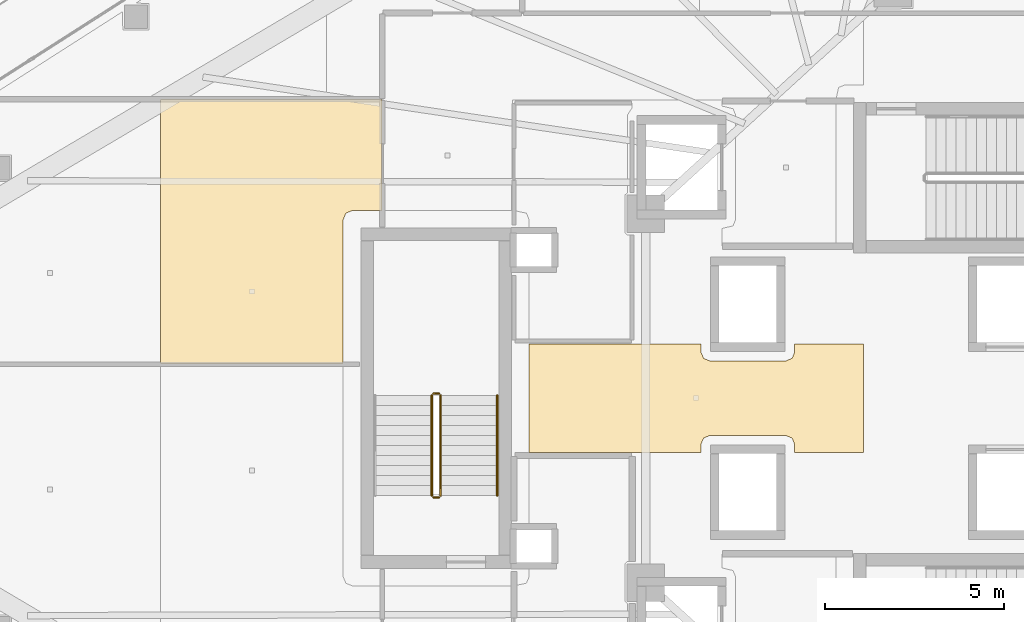
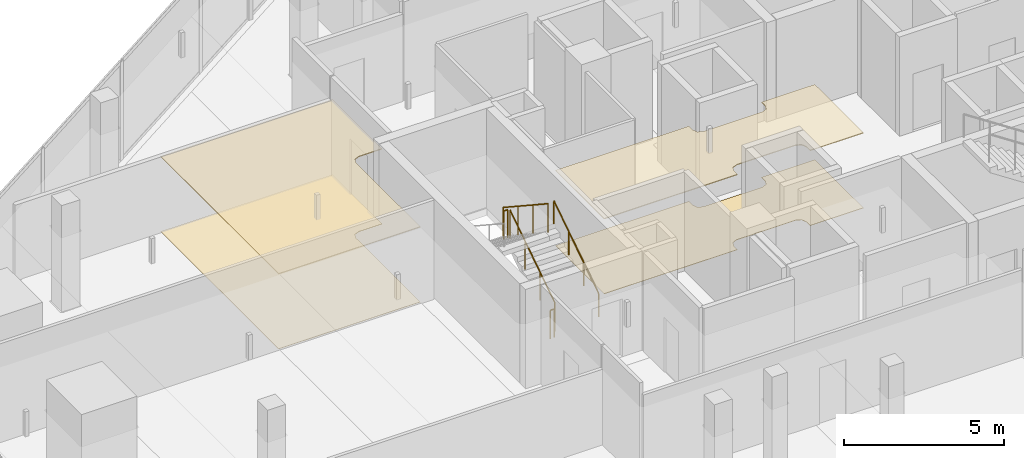
# One storey, part 33 of 39: 5 railings, 4 coverings.
"""IFC4 building model written with IfcOpenShell, lengths in metres."""

from ifc_helpers import new_model, si_unit, direction, frame, origin, origin_2d, place, context, subcontext, project, spatial, polyline, circle, outline, extrude, material, layer, layer_set, type_object, element, save


model = new_model("IFC4")

# Units and contexts
model_context = context("Model", 3, precision=1e-05, world=origin(), true_north=direction((0.0, 1.0)))
body_context = subcontext(model_context, "Body", "Model", "MODEL_VIEW")
ifc_project = project(units=[si_unit("LENGTHUNIT", "METRE"), si_unit("AREAUNIT", "SQUARE_METRE"), si_unit("VOLUMEUNIT", "CUBIC_METRE"), si_unit("PLANEANGLEUNIT", "RADIAN"), si_unit("MASSUNIT", "GRAM", prefix="KILO")], contexts=[model_context])

# Site, building, storey
site_placement = place(None, origin())
site = spatial("IfcSite", under=ifc_project, at=site_placement, CompositionType="ELEMENT")
building_placement = place(site_placement, origin())
building = spatial("IfcBuilding", under=site, at=building_placement, Name="Qorvath Tower", CompositionType="ELEMENT")
storey_placement = place(building_placement, frame((0.0, 0.0, 154.35009765625)))
storey = spatial("IfcBuildingStorey", under=building, at=storey_placement, Name="L35", CompositionType="ELEMENT", Elevation=154.35009765625)

# Coverings
ifc_material_1 = material(Name="Acoustic mineral fibre ceiling tile", Category="gypsum")
ifc_layer_1 = layer(ifc_material_1, 0.030029296875)
ifc_layer_set_1 = layer_set([ifc_layer_1], Name="COV-CEIL")
covering_type_1 = type_object("IfcCoveringType", Name="COV-CEIL", PredefinedType="CEILING", material=ifc_layer_set_1)
covering_1_placement = place(storey_placement, frame((0.0, 0.0, 2.849853515625)))
element("IfcCovering", 1, at=covering_1_placement, inside=storey, type_object=covering_type_1, Name="L35 Suspended Acoustic Ceiling 008", PredefinedType="CEILING", context=body_context, shape_type="SweptSolid", body=[
    extrude(outline(polyline([(-24.421142578125, -1.514892578125), (-24.421142578125, 1.514892578125), (-26.340087890625, 1.514892578125), (-26.340087890625, 1.2900390625), (-26.413330078125, 1.11328125), (-26.590087890625, 1.0400390625), (-28.7099609375, 1.0400390625), (-28.88671875, 1.11328125), (-28.9599609375, 1.2900390625), (-28.9599609375, 1.514892578125), (-33.760009765625, 1.514892578125), (-33.760009765625, -1.514892578125), (-28.9599609375, -1.514892578125), (-28.9599609375, -1.2900390625), (-28.88671875, -1.11328125), (-28.7099609375, -1.0400390625), (-26.590087890625, -1.0400390625), (-26.413330078125, -1.11328125), (-26.340087890625, -1.2900390625), (-26.340087890625, -1.514892578125), (-24.421142578125, -1.514892578125)])), origin(), (0.0, 0.0, 1.0), 0.030029296875),
])
covering_2_placement = place(storey_placement, frame((0.0, 0.0, 2.849853515625)))
element("IfcCovering", 2, at=covering_2_placement, inside=storey, type_object=covering_type_1, Name="L35 Suspended Acoustic Ceiling 032", PredefinedType="CEILING", context=body_context, shape_type="SweptSolid", body=[
    extrude(outline(polyline([(-37.863037109375, 8.3369140625), (-44.051513671875, 8.3369140625), (-44.051513671875, 0.96630859375), (-38.949951171875, 0.96630859375), (-38.949951171875, 4.989990234375), (-38.876708984375, 5.166748046875), (-38.699951171875, 5.239990234375), (-37.863037109375, 5.239990234375), (-37.863037109375, 8.3369140625)])), origin(), (0.0, 0.0, 1.0), 0.030029296875),
])
ifc_material_2 = material(Name="Low-VOC modular carpet tile", Category="textile")
ifc_layer_2 = layer(ifc_material_2, 0.014892578125)
ifc_layer_set_2 = layer_set([ifc_layer_2], Name="COV-FLOOR-CPT")
covering_type_2 = type_object("IfcCoveringType", Name="COV-FLOOR-CPT", PredefinedType="FLOORING", material=ifc_layer_set_2)
covering_3_placement = place(storey_placement, origin())
element("IfcCovering", 3, at=covering_3_placement, inside=storey, type_object=covering_type_2, Name="L35 Floor Finish 032", PredefinedType="FLOORING", context=body_context, shape_type="SweptSolid", body=[
    extrude(outline(polyline([(-37.863037109375, 8.3369140625), (-44.051513671875, 8.3369140625), (-44.051513671875, 0.96630859375), (-38.949951171875, 0.96630859375), (-38.949951171875, 4.989990234375), (-38.876708984375, 5.166748046875), (-38.699951171875, 5.239990234375), (-37.863037109375, 5.239990234375), (-37.863037109375, 8.3369140625)])), origin(), (0.0, 0.0, 1.0), 0.014892578125),
])
ifc_material_3 = material(Name="Polished epoxy terrazzo flooring", Category="concrete")
ifc_layer_3 = layer(ifc_material_3, 0.02001953125)
ifc_layer_set_3 = layer_set([ifc_layer_3], Name="COV-FLOOR-TRZ")
covering_type_3 = type_object("IfcCoveringType", Name="COV-FLOOR-TRZ", PredefinedType="FLOORING", material=ifc_layer_set_3)
covering_4_placement = place(storey_placement, origin())
element("IfcCovering", 4, at=covering_4_placement, inside=storey, type_object=covering_type_3, Name="L35 Floor Finish 008", PredefinedType="FLOORING", context=body_context, shape_type="SweptSolid", body=[
    extrude(outline(polyline([(-24.421142578125, -1.514892578125), (-24.421142578125, 1.514892578125), (-26.340087890625, 1.514892578125), (-26.340087890625, 1.2900390625), (-26.413330078125, 1.11328125), (-26.590087890625, 1.0400390625), (-28.7099609375, 1.0400390625), (-28.88671875, 1.11328125), (-28.9599609375, 1.2900390625), (-28.9599609375, 1.514892578125), (-33.760009765625, 1.514892578125), (-33.760009765625, -1.514892578125), (-28.9599609375, -1.514892578125), (-28.9599609375, -1.2900390625), (-28.88671875, -1.11328125), (-28.7099609375, -1.0400390625), (-26.590087890625, -1.0400390625), (-26.413330078125, -1.11328125), (-26.340087890625, -1.2900390625), (-26.340087890625, -1.514892578125), (-24.421142578125, -1.514892578125)])), origin(), (0.0, 0.0, 1.0), 0.014892578125),
])

# Railings
ifc_material_4 = material(Name="Painted galvanised steel", Category="steel")
railing_type_1 = type_object("IfcRailingType", Name="RL-STR-GRD", PredefinedType="GUARDRAIL", material=ifc_material_4)
railing_1_placement = place(storey_placement, frame((-36.22998046875, -2.719970703125, 0.18408203125)))
element("IfcRailing", 5, at=railing_1_placement, inside=storey, type_object=railing_type_1, Name="L35 TS3 stair guard 1", PredefinedType="GUARDRAIL", context=body_context, shape_type="SweptSolid", body=[
    extrude(circle(Radius=0.02392578125, at=origin_2d()), frame((0.0, 0.0, 1.076171875), z_axis=(0.0, 0.835597507184, 0.549342157483), x_axis=(-1.0, 0.0, 0.0)), (0.0, 0.0, 1.0), 3.35107421875),
    extrude(circle(Radius=0.02099609375, at=origin_2d()), origin(), (0.0, 0.0, 1.0), 1.052001953125),
    extrude(circle(Radius=0.02099609375, at=origin_2d()), frame((0.0, 0.933349609375, 0.613525390625)), (0.0, 0.0, 1.0), 1.052001953125),
    extrude(circle(Radius=0.02099609375, at=origin_2d()), frame((0.0, 1.86669921875, 1.227294921875)), (0.0, 0.0, 1.0), 1.052001953125),
    extrude(circle(Radius=0.02099609375, at=origin_2d()), frame((0.0, 2.800048828125, 1.8408203125)), (0.0, 0.0, 1.0), 1.052001953125),
])
railing_2_placement = place(storey_placement, frame((-36.280029296875, 0.1298828125, 2.02490234375)))
element("IfcRailing", 6, at=railing_2_placement, inside=storey, type_object=railing_type_1, Name="L35 TS3 stair guard 2", PredefinedType="GUARDRAIL", context=body_context, shape_type="SweptSolid", body=[
    extrude(circle(Radius=0.02392578125, at=origin_2d()), frame((0.0, 0.0, 1.076171875), z_axis=(-1.0, 0.0, 0.0), x_axis=(0.0, -1.0, 0.0)), (0.0, 0.0, 1.0), 0.14990234375),
    extrude(circle(Radius=0.02099609375, at=origin_2d()), origin(), (0.0, 0.0, 1.0), 1.052001953125),
    extrude(circle(Radius=0.02099609375, at=origin_2d()), frame((-0.14990234375, 0.0, 0.0)), (0.0, 0.0, 1.0), 1.052001953125),
])
railing_3_placement = place(storey_placement, frame((-36.47998046875, 0.080078125, 2.208984375)))
element("IfcRailing", 7, at=railing_3_placement, inside=storey, type_object=railing_type_1, Name="L35 TS3 stair guard 3", PredefinedType="GUARDRAIL", context=body_context, shape_type="SweptSolid", body=[
    extrude(circle(Radius=0.02392578125, at=origin_2d()), frame((0.0, 0.0, 1.076171875), z_axis=(0.0, -0.835597507184, 0.549342157483), x_axis=(1.0, 0.0, 0.0)), (0.0, 0.0, 1.0), 3.35107421875),
    extrude(circle(Radius=0.02099609375, at=origin_2d()), origin(), (0.0, 0.0, 1.0), 1.052001953125),
    extrude(circle(Radius=0.02099609375, at=origin_2d()), frame((0.0, -0.933349609375, 0.613525390625)), (0.0, 0.0, 1.0), 1.052001953125),
    extrude(circle(Radius=0.02099609375, at=origin_2d()), frame((0.0, -1.86669921875, 1.227294921875)), (0.0, 0.0, 1.0), 1.052001953125),
    extrude(circle(Radius=0.02099609375, at=origin_2d()), frame((0.0, -2.800048828125, 1.8408203125)), (0.0, 0.0, 1.0), 1.052001953125),
])
railing_4_placement = place(storey_placement, frame((-36.280029296875, -2.77001953125, 0.0)))
element("IfcRailing", 8, at=railing_4_placement, inside=storey, type_object=railing_type_1, Name="L35 TS3 stair guard 4", PredefinedType="GUARDRAIL", context=body_context, shape_type="SweptSolid", body=[
    extrude(circle(Radius=0.02392578125, at=origin_2d()), frame((0.0, 0.0, 1.076171875), z_axis=(-1.0, 0.0, 0.0), x_axis=(0.0, -1.0, 0.0)), (0.0, 0.0, 1.0), 0.14990234375),
    extrude(circle(Radius=0.02099609375, at=origin_2d()), origin(), (0.0, 0.0, 1.0), 1.052001953125),
    extrude(circle(Radius=0.02099609375, at=origin_2d()), frame((-0.14990234375, 0.0, 0.0)), (0.0, 0.0, 1.0), 1.052001953125),
])
ifc_material_5 = material(Name="Brushed stainless steel AISI 304", Category="steel")
railing_type_2 = type_object("IfcRailingType", Name="RL-STR-HND", PredefinedType="HANDRAIL", material=ifc_material_5)
railing_5_placement = place(storey_placement, frame((-34.64990234375, -2.719970703125, 0.18408203125)))
element("IfcRailing", 9, at=railing_5_placement, inside=storey, type_object=railing_type_2, Name="L35 TS3 stair handrail 1", PredefinedType="HANDRAIL", context=body_context, shape_type="SweptSolid", body=[
    extrude(circle(Radius=0.02392578125, at=origin_2d()), frame((0.0, 0.0, 0.8759765625), z_axis=(0.0, 0.835597507184, 0.549342157483), x_axis=(-1.0, 0.0, 0.0)), (0.0, 0.0, 1.0), 3.35107421875),
    extrude(circle(Radius=0.02099609375, at=origin_2d()), origin(), (0.0, 0.0, 1.0), 0.851806640625),
    extrude(circle(Radius=0.02099609375, at=origin_2d()), frame((0.0, 0.933349609375, 0.613525390625)), (0.0, 0.0, 1.0), 0.851806640625),
    extrude(circle(Radius=0.02099609375, at=origin_2d()), frame((0.0, 1.86669921875, 1.227294921875)), (0.0, 0.0, 1.0), 0.851806640625),
    extrude(circle(Radius=0.02099609375, at=origin_2d()), frame((0.0, 2.800048828125, 1.8408203125)), (0.0, 0.0, 1.0), 0.851806640625),
])

save(model, "model.ifc")
